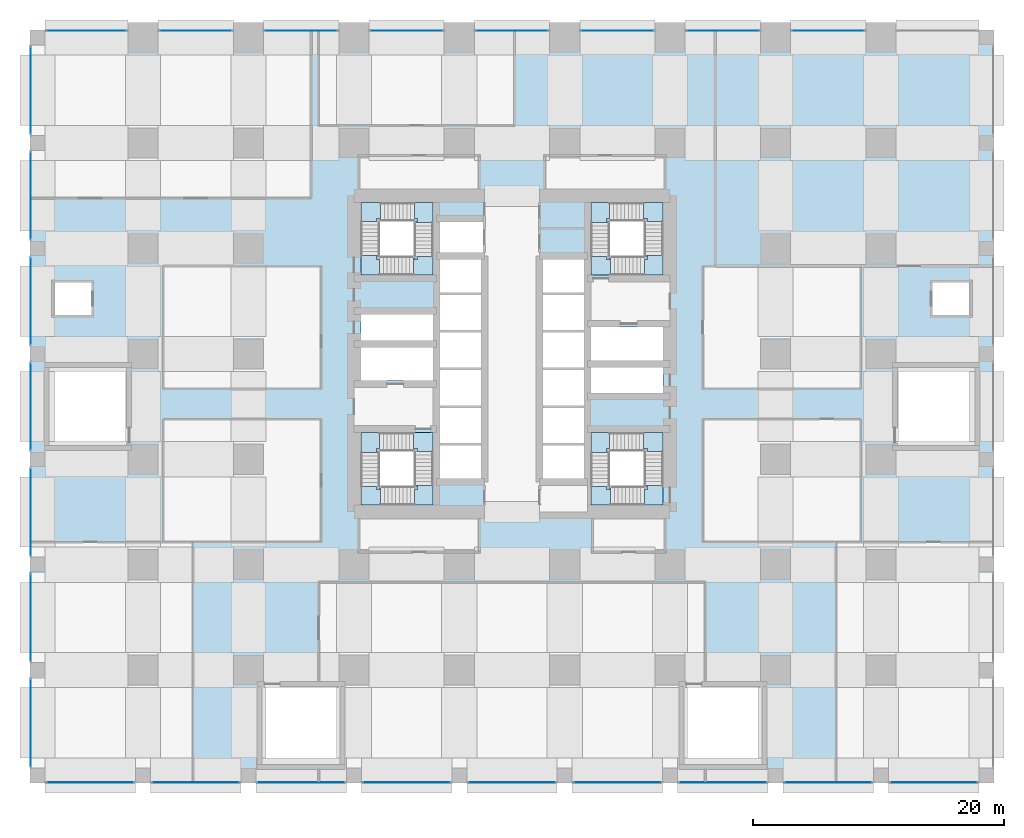
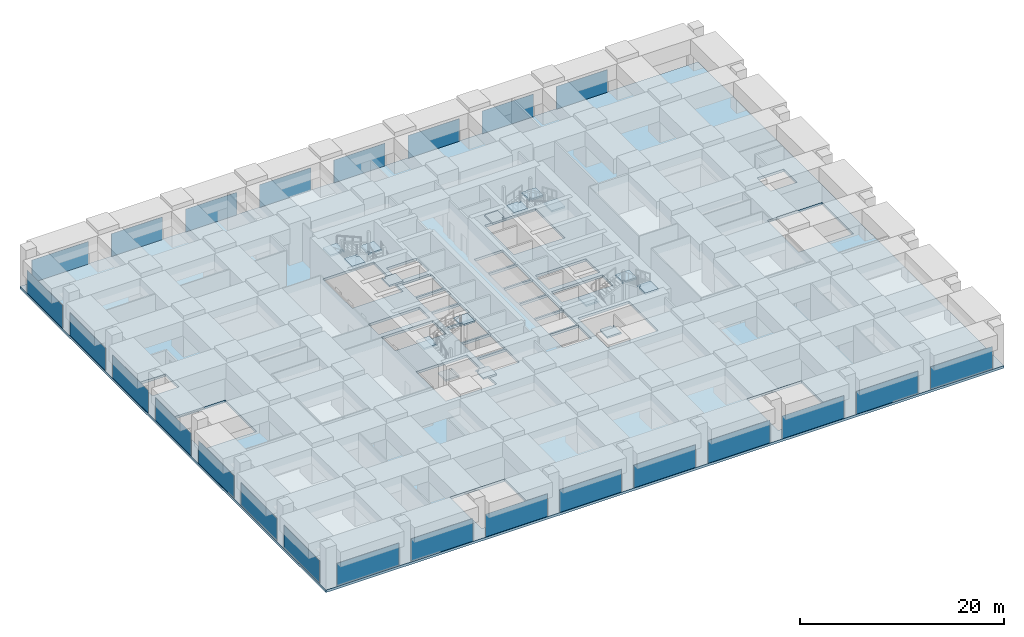
# One storey, part 37 of 52: 24 plates, 17 slabs, 28 elements without a shape of their own.
"""IFC4 building model written with IfcOpenShell, lengths in metres."""

from ifc_helpers import new_model, si_unit, direction, frame, origin, origin_2d, place, context, subcontext, project, spatial, polyline, rectangle, outline, extrude, material, layer, layer_set, type_object, element, aggregate, save


model = new_model("IFC4")

# Units and contexts
model_context = context("Model", 3, precision=1e-05, world=origin(), true_north=direction((0.0, 1.0)))
body_context = subcontext(model_context, "Body", "Model", "MODEL_VIEW")
ifc_project = project(units=[si_unit("LENGTHUNIT", "METRE"), si_unit("AREAUNIT", "SQUARE_METRE"), si_unit("VOLUMEUNIT", "CUBIC_METRE"), si_unit("PLANEANGLEUNIT", "RADIAN"), si_unit("MASSUNIT", "GRAM", prefix="KILO")], contexts=[model_context])

# Site, building, storey
site_placement = place(None, origin())
site = spatial("IfcSite", under=ifc_project, at=site_placement, CompositionType="ELEMENT")
building_placement = place(site_placement, origin())
building = spatial("IfcBuilding", under=site, at=building_placement, Name="Rekha Terrace Tower", CompositionType="ELEMENT")
storey_placement = place(building_placement, frame((0.0, 0.0, 20.39990234375)))
storey = spatial("IfcBuildingStorey", under=building, at=storey_placement, Name="L04", CompositionType="ELEMENT", Elevation=20.39990234375)

# Curtain wall, plate
ifc_material_1 = material(Name="Aluminium framing", Category="aluminium")
curtain_wall_type = type_object("IfcCurtainWallType", Name="CW4 podium shopfront glazing", PredefinedType="USERDEFINED", material=ifc_material_1)
curtain_wall_1_placement = place(storey_placement, origin())
curtain_wall_1 = element("IfcCurtainWall", 1, at=curtain_wall_1_placement, inside=storey, type_object=curtain_wall_type, Name="CW4 shopfront curtain wall", ObjectType="SHOPFRONT CURTAIN WALL", PredefinedType="USERDEFINED")
ifc_material_2 = material(Name="Laminated double-glazed unit 30", Category="glass")
ifc_layer_1 = layer(ifc_material_2, 0.030029296875)
ifc_layer_set_1 = layer_set([ifc_layer_1], Name="Laminated double-glazed unit 30")
plate_type = type_object("IfcPlateType", Name="CW4 jumbo vision panel, laminated double-glazed unit 30", PredefinedType="CURTAIN_PANEL", material=ifc_layer_set_1)
plate_1_placement = place(storey_placement, frame((4.199951171875, -0.5400390625, 0.0), z_axis=(0.0, 0.0, 1.0), x_axis=(1.0, 0.0, 0.0)))
plate_1 = element("IfcPlate", 2, at=plate_1_placement, type_object=plate_type, Name="CW4 panel 1.1", PredefinedType="CURTAIN_PANEL", context=body_context, shape_type="SweptSolid", body=[
    extrude(rectangle(XDim=7.010009765625, YDim=0.030029296875, at=origin_2d()), origin(), (0.0, 0.0, 1.0), 2.72509765625),
])
aggregate(curtain_wall_1, [plate_1])

curtain_wall_2_placement = place(storey_placement, origin())
curtain_wall_2 = element("IfcCurtainWall", 3, at=curtain_wall_2_placement, inside=storey, type_object=curtain_wall_type, Name="CW4 shopfront curtain wall", ObjectType="SHOPFRONT CURTAIN WALL", PredefinedType="USERDEFINED")
plate_2_placement = place(storey_placement, frame((12.60009765625, -0.5400390625, 0.0), z_axis=(0.0, 0.0, 1.0), x_axis=(1.0, 0.0, 0.0)))
plate_2 = element("IfcPlate", 4, at=plate_2_placement, type_object=plate_type, Name="CW4 panel 1.1", PredefinedType="CURTAIN_PANEL", context=body_context, shape_type="SweptSolid", body=[
    extrude(rectangle(XDim=7.010009765625, YDim=0.030029296875, at=origin_2d()), origin(), (0.0, 0.0, 1.0), 2.72509765625),
])
aggregate(curtain_wall_2, [plate_2])

curtain_wall_3_placement = place(storey_placement, origin())
curtain_wall_3 = element("IfcCurtainWall", 5, at=curtain_wall_3_placement, inside=storey, type_object=curtain_wall_type, Name="CW4 shopfront curtain wall", ObjectType="SHOPFRONT CURTAIN WALL", PredefinedType="USERDEFINED")
plate_3_placement = place(storey_placement, frame((21.0, -0.5400390625, 0.0), z_axis=(0.0, 0.0, 1.0), x_axis=(1.0, 0.0, 0.0)))
plate_3 = element("IfcPlate", 6, at=plate_3_placement, type_object=plate_type, Name="CW4 panel 1.1", PredefinedType="CURTAIN_PANEL", context=body_context, shape_type="SweptSolid", body=[
    extrude(rectangle(XDim=7.010009765625, YDim=0.030029296875, at=origin_2d()), origin(), (0.0, 0.0, 1.0), 2.72509765625),
])
aggregate(curtain_wall_3, [plate_3])

curtain_wall_4_placement = place(storey_placement, origin())
curtain_wall_4 = element("IfcCurtainWall", 7, at=curtain_wall_4_placement, inside=storey, type_object=curtain_wall_type, Name="CW4 shopfront curtain wall", ObjectType="SHOPFRONT CURTAIN WALL", PredefinedType="USERDEFINED")
plate_4_placement = place(storey_placement, frame((29.39990234375, -0.5400390625, 0.0), z_axis=(0.0, 0.0, 1.0), x_axis=(1.0, 0.0, 0.0)))
plate_4 = element("IfcPlate", 8, at=plate_4_placement, type_object=plate_type, Name="CW4 panel 1.1", PredefinedType="CURTAIN_PANEL", context=body_context, shape_type="SweptSolid", body=[
    extrude(rectangle(XDim=7.010009765625, YDim=0.030029296875, at=origin_2d()), origin(), (0.0, 0.0, 1.0), 2.72509765625),
])
aggregate(curtain_wall_4, [plate_4])

curtain_wall_5_placement = place(storey_placement, origin())
curtain_wall_5 = element("IfcCurtainWall", 9, at=curtain_wall_5_placement, inside=storey, type_object=curtain_wall_type, Name="CW4 shopfront curtain wall", ObjectType="SHOPFRONT CURTAIN WALL", PredefinedType="USERDEFINED")
plate_5_placement = place(storey_placement, frame((37.800048828125, -0.5400390625, 0.0), z_axis=(0.0, 0.0, 1.0), x_axis=(1.0, 0.0, 0.0)))
plate_5 = element("IfcPlate", 10, at=plate_5_placement, type_object=plate_type, Name="CW4 panel 1.1", PredefinedType="CURTAIN_PANEL", context=body_context, shape_type="SweptSolid", body=[
    extrude(rectangle(XDim=7.010009765625, YDim=0.030029296875, at=origin_2d()), origin(), (0.0, 0.0, 1.0), 2.72509765625),
])
aggregate(curtain_wall_5, [plate_5])

curtain_wall_6_placement = place(storey_placement, origin())
curtain_wall_6 = element("IfcCurtainWall", 11, at=curtain_wall_6_placement, inside=storey, type_object=curtain_wall_type, Name="CW4 shopfront curtain wall", ObjectType="SHOPFRONT CURTAIN WALL", PredefinedType="USERDEFINED")
plate_6_placement = place(storey_placement, frame((46.199951171875, -0.5400390625, 0.0), z_axis=(0.0, 0.0, 1.0), x_axis=(1.0, 0.0, 0.0)))
plate_6 = element("IfcPlate", 12, at=plate_6_placement, type_object=plate_type, Name="CW4 panel 1.1", PredefinedType="CURTAIN_PANEL", context=body_context, shape_type="SweptSolid", body=[
    extrude(rectangle(XDim=7.010009765625, YDim=0.030029296875, at=origin_2d()), origin(), (0.0, 0.0, 1.0), 2.72509765625),
])
aggregate(curtain_wall_6, [plate_6])

curtain_wall_7_placement = place(storey_placement, origin())
curtain_wall_7 = element("IfcCurtainWall", 13, at=curtain_wall_7_placement, inside=storey, type_object=curtain_wall_type, Name="CW4 shopfront curtain wall", ObjectType="SHOPFRONT CURTAIN WALL", PredefinedType="USERDEFINED")
plate_7_placement = place(storey_placement, frame((54.60009765625, -0.5400390625, 0.0), z_axis=(0.0, 0.0, 1.0), x_axis=(1.0, 0.0, 0.0)))
plate_7 = element("IfcPlate", 14, at=plate_7_placement, type_object=plate_type, Name="CW4 panel 1.1", PredefinedType="CURTAIN_PANEL", context=body_context, shape_type="SweptSolid", body=[
    extrude(rectangle(XDim=7.010009765625, YDim=0.030029296875, at=origin_2d()), origin(), (0.0, 0.0, 1.0), 2.72509765625),
])
aggregate(curtain_wall_7, [plate_7])

curtain_wall_8_placement = place(storey_placement, origin())
curtain_wall_8 = element("IfcCurtainWall", 15, at=curtain_wall_8_placement, inside=storey, type_object=curtain_wall_type, Name="CW4 shopfront curtain wall", ObjectType="SHOPFRONT CURTAIN WALL", PredefinedType="USERDEFINED")
plate_8_placement = place(storey_placement, frame((63.0, -0.5400390625, 0.0), z_axis=(0.0, 0.0, 1.0), x_axis=(1.0, 0.0, 0.0)))
plate_8 = element("IfcPlate", 16, at=plate_8_placement, type_object=plate_type, Name="CW4 panel 1.1", PredefinedType="CURTAIN_PANEL", context=body_context, shape_type="SweptSolid", body=[
    extrude(rectangle(XDim=7.010009765625, YDim=0.030029296875, at=origin_2d()), origin(), (0.0, 0.0, 1.0), 2.72509765625),
])
aggregate(curtain_wall_8, [plate_8])

curtain_wall_9_placement = place(storey_placement, origin())
curtain_wall_9 = element("IfcCurtainWall", 17, at=curtain_wall_9_placement, inside=storey, type_object=curtain_wall_type, Name="CW4 shopfront curtain wall", ObjectType="SHOPFRONT CURTAIN WALL", PredefinedType="USERDEFINED")
plate_9_placement = place(storey_placement, frame((71.39990234375, -0.5400390625, 0.0), z_axis=(0.0, 0.0, 1.0), x_axis=(1.0, 0.0, 0.0)))
plate_9 = element("IfcPlate", 18, at=plate_9_placement, type_object=plate_type, Name="CW4 panel 1.1", PredefinedType="CURTAIN_PANEL", context=body_context, shape_type="SweptSolid", body=[
    extrude(rectangle(XDim=7.010009765625, YDim=0.030029296875, at=origin_2d()), origin(), (0.0, 0.0, 1.0), 2.72509765625),
])
aggregate(curtain_wall_9, [plate_9])

curtain_wall_10_placement = place(storey_placement, origin())
curtain_wall_10 = element("IfcCurtainWall", 19, at=curtain_wall_10_placement, inside=storey, type_object=curtain_wall_type, Name="CW4 shopfront curtain wall", ObjectType="SHOPFRONT CURTAIN WALL", PredefinedType="USERDEFINED")
plate_10_placement = place(storey_placement, frame((63.0, 59.340087890625, 0.0), z_axis=(0.0, 0.0, 1.0), x_axis=(-1.0, 0.0, 0.0)))
plate_10 = element("IfcPlate", 20, at=plate_10_placement, type_object=plate_type, Name="CW4 panel 1.1", PredefinedType="CURTAIN_PANEL", context=body_context, shape_type="SweptSolid", body=[
    extrude(rectangle(XDim=5.81005859375, YDim=0.030029296875, at=origin_2d()), origin(), (0.0, 0.0, 1.0), 2.72509765625),
])
aggregate(curtain_wall_10, [plate_10])

curtain_wall_11_placement = place(storey_placement, origin())
curtain_wall_11 = element("IfcCurtainWall", 21, at=curtain_wall_11_placement, inside=storey, type_object=curtain_wall_type, Name="CW4 shopfront curtain wall", ObjectType="SHOPFRONT CURTAIN WALL", PredefinedType="USERDEFINED")
plate_11_placement = place(storey_placement, frame((54.60009765625, 59.340087890625, 0.0), z_axis=(0.0, 0.0, 1.0), x_axis=(-1.0, 0.0, 0.0)))
plate_11 = element("IfcPlate", 22, at=plate_11_placement, type_object=plate_type, Name="CW4 panel 1.1", PredefinedType="CURTAIN_PANEL", context=body_context, shape_type="SweptSolid", body=[
    extrude(rectangle(XDim=5.81005859375, YDim=0.030029296875, at=origin_2d()), origin(), (0.0, 0.0, 1.0), 2.72509765625),
])
aggregate(curtain_wall_11, [plate_11])

curtain_wall_12_placement = place(storey_placement, origin())
curtain_wall_12 = element("IfcCurtainWall", 23, at=curtain_wall_12_placement, inside=storey, type_object=curtain_wall_type, Name="CW4 shopfront curtain wall", ObjectType="SHOPFRONT CURTAIN WALL", PredefinedType="USERDEFINED")
plate_12_placement = place(storey_placement, frame((46.199951171875, 59.340087890625, 0.0), z_axis=(0.0, 0.0, 1.0), x_axis=(-1.0, 0.0, 0.0)))
plate_12 = element("IfcPlate", 24, at=plate_12_placement, type_object=plate_type, Name="CW4 panel 1.1", PredefinedType="CURTAIN_PANEL", context=body_context, shape_type="SweptSolid", body=[
    extrude(rectangle(XDim=5.81005859375, YDim=0.030029296875, at=origin_2d()), origin(), (0.0, 0.0, 1.0), 2.72509765625),
])
aggregate(curtain_wall_12, [plate_12])

curtain_wall_13_placement = place(storey_placement, origin())
curtain_wall_13 = element("IfcCurtainWall", 25, at=curtain_wall_13_placement, inside=storey, type_object=curtain_wall_type, Name="CW4 shopfront curtain wall", ObjectType="SHOPFRONT CURTAIN WALL", PredefinedType="USERDEFINED")
plate_13_placement = place(storey_placement, frame((37.800048828125, 59.340087890625, 0.0), z_axis=(0.0, 0.0, 1.0), x_axis=(-1.0, 0.0, 0.0)))
plate_13 = element("IfcPlate", 26, at=plate_13_placement, type_object=plate_type, Name="CW4 panel 1.1", PredefinedType="CURTAIN_PANEL", context=body_context, shape_type="SweptSolid", body=[
    extrude(rectangle(XDim=5.81005859375, YDim=0.030029296875, at=origin_2d()), origin(), (0.0, 0.0, 1.0), 2.72509765625),
])
aggregate(curtain_wall_13, [plate_13])

curtain_wall_14_placement = place(storey_placement, origin())
curtain_wall_14 = element("IfcCurtainWall", 27, at=curtain_wall_14_placement, inside=storey, type_object=curtain_wall_type, Name="CW4 shopfront curtain wall", ObjectType="SHOPFRONT CURTAIN WALL", PredefinedType="USERDEFINED")
plate_14_placement = place(storey_placement, frame((29.39990234375, 59.340087890625, 0.0), z_axis=(0.0, 0.0, 1.0), x_axis=(-1.0, 0.0, 0.0)))
plate_14 = element("IfcPlate", 28, at=plate_14_placement, type_object=plate_type, Name="CW4 panel 1.1", PredefinedType="CURTAIN_PANEL", context=body_context, shape_type="SweptSolid", body=[
    extrude(rectangle(XDim=5.81005859375, YDim=0.030029296875, at=origin_2d()), origin(), (0.0, 0.0, 1.0), 2.72509765625),
])
aggregate(curtain_wall_14, [plate_14])

curtain_wall_15_placement = place(storey_placement, origin())
curtain_wall_15 = element("IfcCurtainWall", 29, at=curtain_wall_15_placement, inside=storey, type_object=curtain_wall_type, Name="CW4 shopfront curtain wall", ObjectType="SHOPFRONT CURTAIN WALL", PredefinedType="USERDEFINED")
plate_15_placement = place(storey_placement, frame((21.0, 59.340087890625, 0.0), z_axis=(0.0, 0.0, 1.0), x_axis=(-1.0, 0.0, 0.0)))
plate_15 = element("IfcPlate", 30, at=plate_15_placement, type_object=plate_type, Name="CW4 panel 1.1", PredefinedType="CURTAIN_PANEL", context=body_context, shape_type="SweptSolid", body=[
    extrude(rectangle(XDim=5.81005859375, YDim=0.030029296875, at=origin_2d()), origin(), (0.0, 0.0, 1.0), 2.72509765625),
])
aggregate(curtain_wall_15, [plate_15])

curtain_wall_16_placement = place(storey_placement, origin())
curtain_wall_16 = element("IfcCurtainWall", 31, at=curtain_wall_16_placement, inside=storey, type_object=curtain_wall_type, Name="CW4 shopfront curtain wall", ObjectType="SHOPFRONT CURTAIN WALL", PredefinedType="USERDEFINED")
plate_16_placement = place(storey_placement, frame((12.60009765625, 59.340087890625, 0.0), z_axis=(0.0, 0.0, 1.0), x_axis=(-1.0, 0.0, 0.0)))
plate_16 = element("IfcPlate", 32, at=plate_16_placement, type_object=plate_type, Name="CW4 panel 1.1", PredefinedType="CURTAIN_PANEL", context=body_context, shape_type="SweptSolid", body=[
    extrude(rectangle(XDim=5.81005859375, YDim=0.030029296875, at=origin_2d()), origin(), (0.0, 0.0, 1.0), 2.72509765625),
])
aggregate(curtain_wall_16, [plate_16])

curtain_wall_17_placement = place(storey_placement, origin())
curtain_wall_17 = element("IfcCurtainWall", 33, at=curtain_wall_17_placement, inside=storey, type_object=curtain_wall_type, Name="CW4 shopfront curtain wall", ObjectType="SHOPFRONT CURTAIN WALL", PredefinedType="USERDEFINED")
plate_17_placement = place(storey_placement, frame((3.89990234375, 59.340087890625, 0.0), z_axis=(0.0, 0.0, 1.0), x_axis=(-1.0, 0.0, 0.0)))
plate_17 = element("IfcPlate", 34, at=plate_17_placement, type_object=plate_type, Name="CW4 panel 1.1", PredefinedType="CURTAIN_PANEL", context=body_context, shape_type="SweptSolid", body=[
    extrude(rectangle(XDim=6.409912109375, YDim=0.030029296875, at=origin_2d()), origin(), (0.0, 0.0, 1.0), 2.72509765625),
])
aggregate(curtain_wall_17, [plate_17])

curtain_wall_18_placement = place(storey_placement, origin())
curtain_wall_18 = element("IfcCurtainWall", 35, at=curtain_wall_18_placement, inside=storey, type_object=curtain_wall_type, Name="CW4 shopfront curtain wall", ObjectType="SHOPFRONT CURTAIN WALL", PredefinedType="USERDEFINED")
plate_18_placement = place(storey_placement, frame((-0.5400390625, 54.60009765625, 0.0), z_axis=(0.0, 0.0, 1.0), x_axis=(0.0, -1.0, 0.0)))
plate_18 = element("IfcPlate", 36, at=plate_18_placement, type_object=plate_type, Name="CW4 panel 1.1", PredefinedType="CURTAIN_PANEL", context=body_context, shape_type="SweptSolid", body=[
    extrude(rectangle(XDim=7.010009765625, YDim=0.030029296875, at=origin_2d()), origin(), (0.0, 0.0, 1.0), 2.72509765625),
])
aggregate(curtain_wall_18, [plate_18])

curtain_wall_19_placement = place(storey_placement, origin())
curtain_wall_19 = element("IfcCurtainWall", 37, at=curtain_wall_19_placement, inside=storey, type_object=curtain_wall_type, Name="CW4 shopfront curtain wall", ObjectType="SHOPFRONT CURTAIN WALL", PredefinedType="USERDEFINED")
plate_19_placement = place(storey_placement, frame((-0.5400390625, 46.199951171875, 0.0), z_axis=(0.0, 0.0, 1.0), x_axis=(0.0, -1.0, 0.0)))
plate_19 = element("IfcPlate", 38, at=plate_19_placement, type_object=plate_type, Name="CW4 panel 1.1", PredefinedType="CURTAIN_PANEL", context=body_context, shape_type="SweptSolid", body=[
    extrude(rectangle(XDim=7.010009765625, YDim=0.030029296875, at=origin_2d()), origin(), (0.0, 0.0, 1.0), 2.72509765625),
])
aggregate(curtain_wall_19, [plate_19])

curtain_wall_20_placement = place(storey_placement, origin())
curtain_wall_20 = element("IfcCurtainWall", 39, at=curtain_wall_20_placement, inside=storey, type_object=curtain_wall_type, Name="CW4 shopfront curtain wall", ObjectType="SHOPFRONT CURTAIN WALL", PredefinedType="USERDEFINED")
plate_20_placement = place(storey_placement, frame((-0.5400390625, 37.800048828125, 0.0), z_axis=(0.0, 0.0, 1.0), x_axis=(0.0, -1.0, 0.0)))
plate_20 = element("IfcPlate", 40, at=plate_20_placement, type_object=plate_type, Name="CW4 panel 1.1", PredefinedType="CURTAIN_PANEL", context=body_context, shape_type="SweptSolid", body=[
    extrude(rectangle(XDim=7.010009765625, YDim=0.030029296875, at=origin_2d()), origin(), (0.0, 0.0, 1.0), 2.72509765625),
])
aggregate(curtain_wall_20, [plate_20])

curtain_wall_21_placement = place(storey_placement, origin())
curtain_wall_21 = element("IfcCurtainWall", 41, at=curtain_wall_21_placement, inside=storey, type_object=curtain_wall_type, Name="CW4 shopfront curtain wall", ObjectType="SHOPFRONT CURTAIN WALL", PredefinedType="USERDEFINED")
plate_21_placement = place(storey_placement, frame((-0.5400390625, 29.39990234375, 0.0), z_axis=(0.0, 0.0, 1.0), x_axis=(0.0, -1.0, 0.0)))
plate_21 = element("IfcPlate", 42, at=plate_21_placement, type_object=plate_type, Name="CW4 panel 1.1", PredefinedType="CURTAIN_PANEL", context=body_context, shape_type="SweptSolid", body=[
    extrude(rectangle(XDim=7.010009765625, YDim=0.030029296875, at=origin_2d()), origin(), (0.0, 0.0, 1.0), 2.72509765625),
])
aggregate(curtain_wall_21, [plate_21])

curtain_wall_22_placement = place(storey_placement, origin())
curtain_wall_22 = element("IfcCurtainWall", 43, at=curtain_wall_22_placement, inside=storey, type_object=curtain_wall_type, Name="CW4 shopfront curtain wall", ObjectType="SHOPFRONT CURTAIN WALL", PredefinedType="USERDEFINED")
plate_22_placement = place(storey_placement, frame((-0.5400390625, 21.0, 0.0), z_axis=(0.0, 0.0, 1.0), x_axis=(0.0, -1.0, 0.0)))
plate_22 = element("IfcPlate", 44, at=plate_22_placement, type_object=plate_type, Name="CW4 panel 1.1", PredefinedType="CURTAIN_PANEL", context=body_context, shape_type="SweptSolid", body=[
    extrude(rectangle(XDim=7.010009765625, YDim=0.030029296875, at=origin_2d()), origin(), (0.0, 0.0, 1.0), 2.72509765625),
])
aggregate(curtain_wall_22, [plate_22])

curtain_wall_23_placement = place(storey_placement, origin())
curtain_wall_23 = element("IfcCurtainWall", 45, at=curtain_wall_23_placement, inside=storey, type_object=curtain_wall_type, Name="CW4 shopfront curtain wall", ObjectType="SHOPFRONT CURTAIN WALL", PredefinedType="USERDEFINED")
plate_23_placement = place(storey_placement, frame((-0.5400390625, 12.60009765625, 0.0), z_axis=(0.0, 0.0, 1.0), x_axis=(0.0, -1.0, 0.0)))
plate_23 = element("IfcPlate", 46, at=plate_23_placement, type_object=plate_type, Name="CW4 panel 1.1", PredefinedType="CURTAIN_PANEL", context=body_context, shape_type="SweptSolid", body=[
    extrude(rectangle(XDim=7.010009765625, YDim=0.030029296875, at=origin_2d()), origin(), (0.0, 0.0, 1.0), 2.72509765625),
])
aggregate(curtain_wall_23, [plate_23])

curtain_wall_24_placement = place(storey_placement, origin())
curtain_wall_24 = element("IfcCurtainWall", 47, at=curtain_wall_24_placement, inside=storey, type_object=curtain_wall_type, Name="CW4 shopfront curtain wall", ObjectType="SHOPFRONT CURTAIN WALL", PredefinedType="USERDEFINED")
plate_24_placement = place(storey_placement, frame((-0.5400390625, 4.199951171875, 0.0), z_axis=(0.0, 0.0, 1.0), x_axis=(0.0, -1.0, 0.0)))
plate_24 = element("IfcPlate", 48, at=plate_24_placement, type_object=plate_type, Name="CW4 panel 1.1", PredefinedType="CURTAIN_PANEL", context=body_context, shape_type="SweptSolid", body=[
    extrude(rectangle(XDim=7.010009765625, YDim=0.030029296875, at=origin_2d()), origin(), (0.0, 0.0, 1.0), 2.72509765625),
])
aggregate(curtain_wall_24, [plate_24])

# Stair, slabs
ifc_material_3 = material(Name="Concrete M40", Category="concrete")
stair_type = type_object("IfcStairType", Name="ST40 stair, 40 risers of 125, going 300, 1500 wide flights, 4 flights", PredefinedType="QUARTER_TURN_STAIR", material=ifc_material_3)
stair_1_placement = place(storey_placement, origin())
stair_1 = element("IfcStair", 49, at=stair_1_placement, inside=storey, type_object=stair_type, Name="Stair ST1 L04 to L05", PredefinedType="QUARTER_TURN_STAIR")
ifc_layer_2 = layer(ifc_material_3, 0.199951171875)
ifc_layer_set_2 = layer_set([ifc_layer_2], Name="Concrete M40")
slab_type_1 = type_object("IfcSlabType", Name="LD1 200 concrete stair landing", PredefinedType="LANDING", material=ifc_layer_set_2)
slab_1_placement = place(storey_placement, frame((0.0, 0.0, 1.050048828125)))
slab_1 = element("IfcSlab", 50, at=slab_1_placement, type_object=slab_type_1, Name="ST1 landing 1", PredefinedType="LANDING", context=body_context, shape_type="SweptSolid", body=[
    extrude(outline(polyline([(30.02490234375, 21.550048828125), (31.52490234375, 21.550048828125), (31.52490234375, 23.125), (30.02490234375, 23.125), (30.02490234375, 23.050048828125), (30.27490234375, 23.050048828125), (30.27490234375, 22.800048828125), (30.02490234375, 22.800048828125), (30.02490234375, 21.550048828125)])), origin(), (0.0, 0.0, 1.0), 0.199951171875),
])
slab_2_placement = place(storey_placement, frame((0.0, 0.0, 2.300048828125)))
slab_2 = element("IfcSlab", 51, at=slab_2_placement, type_object=slab_type_1, Name="ST1 landing 2", PredefinedType="LANDING", context=body_context, shape_type="SweptSolid", body=[
    extrude(outline(polyline([(25.75, 23.050048828125), (25.75, 21.550048828125), (27.324951171875, 21.550048828125), (27.324951171875, 23.050048828125), (27.25, 23.050048828125), (27.25, 22.800048828125), (27.0, 22.800048828125), (27.0, 23.050048828125), (25.75, 23.050048828125)])), origin(), (0.0, 0.0, 1.0), 0.199951171875),
])
slab_3_placement = place(storey_placement, frame((0.0, 0.0, 3.550048828125)))
slab_3 = element("IfcSlab", 52, at=slab_3_placement, type_object=slab_type_1, Name="ST1 landing 3", PredefinedType="LANDING", context=body_context, shape_type="SweptSolid", body=[
    extrude(outline(polyline([(27.25, 27.324951171875), (25.75, 27.324951171875), (25.75, 25.75), (27.25, 25.75), (27.25, 25.824951171875), (27.0, 25.824951171875), (27.0, 26.074951171875), (27.25, 26.074951171875), (27.25, 27.324951171875)])), origin(), (0.0, 0.0, 1.0), 0.199951171875),
])
slab_4_placement = place(storey_placement, frame((0.0, 0.0, 4.800048828125)))
slab_4 = element("IfcSlab", 53, at=slab_4_placement, type_object=slab_type_1, Name="ST1 landing 4", PredefinedType="LANDING", context=body_context, shape_type="SweptSolid", body=[
    extrude(outline(polyline([(31.52490234375, 25.824951171875), (31.52490234375, 27.324951171875), (29.949951171875, 27.324951171875), (29.949951171875, 25.824951171875), (30.02490234375, 25.824951171875), (30.02490234375, 26.074951171875), (30.27490234375, 26.074951171875), (30.27490234375, 25.824951171875), (31.52490234375, 25.824951171875)])), origin(), (0.0, 0.0, 1.0), 0.199951171875),
])
aggregate(stair_1, [slab_1, slab_2, slab_3, slab_4])

stair_2_placement = place(storey_placement, origin())
stair_2 = element("IfcStair", 54, at=stair_2_placement, inside=storey, type_object=stair_type, Name="Stair ST2 L04 to L05", PredefinedType="QUARTER_TURN_STAIR")
slab_5_placement = place(storey_placement, frame((0.0, 0.0, 1.050048828125)))
slab_5 = element("IfcSlab", 55, at=slab_5_placement, type_object=slab_type_1, Name="ST2 landing 1", PredefinedType="LANDING", context=body_context, shape_type="SweptSolid", body=[
    extrude(outline(polyline([(45.574951171875, 45.64990234375), (44.074951171875, 45.64990234375), (44.074951171875, 44.074951171875), (45.574951171875, 44.074951171875), (45.574951171875, 44.14990234375), (45.324951171875, 44.14990234375), (45.324951171875, 44.39990234375), (45.574951171875, 44.39990234375), (45.574951171875, 45.64990234375)])), origin(), (0.0, 0.0, 1.0), 0.199951171875),
])
slab_6_placement = place(storey_placement, frame((0.0, 0.0, 2.300048828125)))
slab_6 = element("IfcSlab", 56, at=slab_6_placement, type_object=slab_type_1, Name="ST2 landing 2", PredefinedType="LANDING", context=body_context, shape_type="SweptSolid", body=[
    extrude(outline(polyline([(49.85009765625, 44.14990234375), (49.85009765625, 45.64990234375), (48.27490234375, 45.64990234375), (48.27490234375, 44.14990234375), (48.35009765625, 44.14990234375), (48.35009765625, 44.39990234375), (48.60009765625, 44.39990234375), (48.60009765625, 44.14990234375), (49.85009765625, 44.14990234375)])), origin(), (0.0, 0.0, 1.0), 0.199951171875),
])
slab_7_placement = place(storey_placement, frame((0.0, 0.0, 3.550048828125)))
slab_7 = element("IfcSlab", 57, at=slab_7_placement, type_object=slab_type_1, Name="ST2 landing 3", PredefinedType="LANDING", context=body_context, shape_type="SweptSolid", body=[
    extrude(outline(polyline([(48.35009765625, 39.875), (49.85009765625, 39.875), (49.85009765625, 41.449951171875), (48.35009765625, 41.449951171875), (48.35009765625, 41.375), (48.60009765625, 41.375), (48.60009765625, 41.125), (48.35009765625, 41.125), (48.35009765625, 39.875)])), origin(), (0.0, 0.0, 1.0), 0.199951171875),
])
slab_8_placement = place(storey_placement, frame((0.0, 0.0, 4.800048828125)))
slab_8 = element("IfcSlab", 58, at=slab_8_placement, type_object=slab_type_1, Name="ST2 landing 4", PredefinedType="LANDING", context=body_context, shape_type="SweptSolid", body=[
    extrude(outline(polyline([(44.074951171875, 41.375), (44.074951171875, 39.875), (45.64990234375, 39.875), (45.64990234375, 41.375), (45.574951171875, 41.375), (45.574951171875, 41.125), (45.324951171875, 41.125), (45.324951171875, 41.375), (44.074951171875, 41.375)])), origin(), (0.0, 0.0, 1.0), 0.199951171875),
])
aggregate(stair_2, [slab_5, slab_6, slab_7, slab_8])

stair_3_placement = place(storey_placement, origin())
stair_3 = element("IfcStair", 59, at=stair_3_placement, inside=storey, type_object=stair_type, Name="Stair ST3 L04 to L05", PredefinedType="QUARTER_TURN_STAIR")
slab_9_placement = place(storey_placement, frame((0.0, 0.0, 1.050048828125)))
slab_9 = element("IfcSlab", 60, at=slab_9_placement, type_object=slab_type_1, Name="ST3 landing 1", PredefinedType="LANDING", context=body_context, shape_type="SweptSolid", body=[
    extrude(outline(polyline([(44.074951171875, 23.050048828125), (44.074951171875, 21.550048828125), (45.64990234375, 21.550048828125), (45.64990234375, 23.050048828125), (45.574951171875, 23.050048828125), (45.574951171875, 22.800048828125), (45.324951171875, 22.800048828125), (45.324951171875, 23.050048828125), (44.074951171875, 23.050048828125)])), origin(), (0.0, 0.0, 1.0), 0.199951171875),
])
slab_10_placement = place(storey_placement, frame((0.0, 0.0, 2.300048828125)))
slab_10 = element("IfcSlab", 61, at=slab_10_placement, type_object=slab_type_1, Name="ST3 landing 2", PredefinedType="LANDING", context=body_context, shape_type="SweptSolid", body=[
    extrude(outline(polyline([(45.574951171875, 27.324951171875), (44.074951171875, 27.324951171875), (44.074951171875, 25.75), (45.574951171875, 25.75), (45.574951171875, 25.824951171875), (45.324951171875, 25.824951171875), (45.324951171875, 26.074951171875), (45.574951171875, 26.074951171875), (45.574951171875, 27.324951171875)])), origin(), (0.0, 0.0, 1.0), 0.199951171875),
])
slab_11_placement = place(storey_placement, frame((0.0, 0.0, 3.550048828125)))
slab_11 = element("IfcSlab", 62, at=slab_11_placement, type_object=slab_type_1, Name="ST3 landing 3", PredefinedType="LANDING", context=body_context, shape_type="SweptSolid", body=[
    extrude(outline(polyline([(49.85009765625, 25.824951171875), (49.85009765625, 27.324951171875), (48.27490234375, 27.324951171875), (48.27490234375, 25.824951171875), (48.35009765625, 25.824951171875), (48.35009765625, 26.074951171875), (48.60009765625, 26.074951171875), (48.60009765625, 25.824951171875), (49.85009765625, 25.824951171875)])), origin(), (0.0, 0.0, 1.0), 0.199951171875),
])
slab_12_placement = place(storey_placement, frame((0.0, 0.0, 4.800048828125)))
slab_12 = element("IfcSlab", 63, at=slab_12_placement, type_object=slab_type_1, Name="ST3 landing 4", PredefinedType="LANDING", context=body_context, shape_type="SweptSolid", body=[
    extrude(outline(polyline([(48.35009765625, 21.550048828125), (49.85009765625, 21.550048828125), (49.85009765625, 23.125), (48.35009765625, 23.125), (48.35009765625, 23.050048828125), (48.60009765625, 23.050048828125), (48.60009765625, 22.800048828125), (48.35009765625, 22.800048828125), (48.35009765625, 21.550048828125)])), origin(), (0.0, 0.0, 1.0), 0.199951171875),
])
aggregate(stair_3, [slab_9, slab_10, slab_11, slab_12])

stair_4_placement = place(storey_placement, origin())
stair_4 = element("IfcStair", 64, at=stair_4_placement, inside=storey, type_object=stair_type, Name="Stair ST4 L04 to L05", PredefinedType="QUARTER_TURN_STAIR")
slab_13_placement = place(storey_placement, frame((0.0, 0.0, 1.050048828125)))
slab_13 = element("IfcSlab", 65, at=slab_13_placement, type_object=slab_type_1, Name="ST4 landing 1", PredefinedType="LANDING", context=body_context, shape_type="SweptSolid", body=[
    extrude(outline(polyline([(31.52490234375, 41.375), (31.52490234375, 39.875), (29.949951171875, 39.875), (29.949951171875, 41.375), (30.02490234375, 41.375), (30.02490234375, 41.125), (30.27490234375, 41.125), (30.27490234375, 41.375), (31.52490234375, 41.375)])), origin(), (0.0, 0.0, 1.0), 0.199951171875),
])
slab_14_placement = place(storey_placement, frame((0.0, 0.0, 2.300048828125)))
slab_14 = element("IfcSlab", 66, at=slab_14_placement, type_object=slab_type_1, Name="ST4 landing 2", PredefinedType="LANDING", context=body_context, shape_type="SweptSolid", body=[
    extrude(outline(polyline([(30.02490234375, 45.64990234375), (31.52490234375, 45.64990234375), (31.52490234375, 44.074951171875), (30.02490234375, 44.074951171875), (30.02490234375, 44.14990234375), (30.27490234375, 44.14990234375), (30.27490234375, 44.39990234375), (30.02490234375, 44.39990234375), (30.02490234375, 45.64990234375)])), origin(), (0.0, 0.0, 1.0), 0.199951171875),
])
slab_15_placement = place(storey_placement, frame((0.0, 0.0, 3.550048828125)))
slab_15 = element("IfcSlab", 67, at=slab_15_placement, type_object=slab_type_1, Name="ST4 landing 3", PredefinedType="LANDING", context=body_context, shape_type="SweptSolid", body=[
    extrude(outline(polyline([(25.75, 44.14990234375), (25.75, 45.64990234375), (27.324951171875, 45.64990234375), (27.324951171875, 44.14990234375), (27.25, 44.14990234375), (27.25, 44.39990234375), (27.0, 44.39990234375), (27.0, 44.14990234375), (25.75, 44.14990234375)])), origin(), (0.0, 0.0, 1.0), 0.199951171875),
])
slab_16_placement = place(storey_placement, frame((0.0, 0.0, 4.800048828125)))
slab_16 = element("IfcSlab", 68, at=slab_16_placement, type_object=slab_type_1, Name="ST4 landing 4", PredefinedType="LANDING", context=body_context, shape_type="SweptSolid", body=[
    extrude(outline(polyline([(27.25, 39.875), (25.75, 39.875), (25.75, 41.449951171875), (27.25, 41.449951171875), (27.25, 41.375), (27.0, 41.375), (27.0, 41.125), (27.25, 41.125), (27.25, 39.875)])), origin(), (0.0, 0.0, 1.0), 0.199951171875),
])
aggregate(stair_4, [slab_13, slab_14, slab_15, slab_16])

# Slab
ifc_material_4 = material(Name="Concrete M50", Category="concrete")
ifc_layer_3 = layer(ifc_material_4, 0.300048828125)
ifc_layer_set_3 = layer_set([ifc_layer_3], Name="Concrete M50")
slab_type_2 = type_object("IfcSlabType", Name="SL2 300 podium floor slab", PredefinedType="FLOOR", material=ifc_layer_set_3)
slab_17_placement = place(storey_placement, frame((0.0, 0.0, -0.2998046875)))
element("IfcSlab", 69, at=slab_17_placement, inside=storey, type_object=slab_type_2, Name="Podium floor slab L04", PredefinedType="FLOOR", context=body_context, shape_type="SweptSolid", body=[
    extrude(outline(polyline([(-0.60009765625, 59.39990234375), (-0.60009765625, -0.60009765625), (76.199951171875, -0.60009765625), (76.199951171875, 59.39990234375), (-0.60009765625, 59.39990234375)]), holes=[polyline([(24.10009765625, 7.10009765625), (24.10009765625, 0.89990234375), (17.89990234375, 0.89990234375), (17.89990234375, 7.10009765625), (24.10009765625, 7.10009765625)]), polyline([(31.52490234375, 21.550048828125), (25.75, 21.550048828125), (25.75, 27.324951171875), (31.52490234375, 27.324951171875), (31.52490234375, 21.550048828125)]), polyline([(35.324951171875, 23.675048828125), (32.074951171875, 23.675048828125), (32.074951171875, 26.300048828125), (35.324951171875, 26.300048828125), (35.324951171875, 23.675048828125)]), polyline([(35.324951171875, 29.300048828125), (35.324951171875, 26.5), (32.074951171875, 26.5), (32.074951171875, 29.300048828125), (35.324951171875, 29.300048828125)]), polyline([(7.10009765625, 26.300048828125), (0.89990234375, 26.300048828125), (0.89990234375, 32.5), (7.10009765625, 32.5), (7.10009765625, 26.300048828125)]), polyline([(35.324951171875, 29.5), (32.074951171875, 29.5), (32.074951171875, 32.300048828125), (35.324951171875, 32.300048828125), (35.324951171875, 29.5)]), polyline([(31.52490234375, 34.125), (31.52490234375, 31.47509765625), (25.75, 31.47509765625), (25.75, 34.125), (31.52490234375, 34.125)]), polyline([(35.324951171875, 32.5), (32.074951171875, 32.5), (32.074951171875, 35.300048828125), (35.324951171875, 35.300048828125), (35.324951171875, 32.5)]), polyline([(31.52490234375, 34.675048828125), (25.75, 34.675048828125), (25.75, 36.72509765625), (31.52490234375, 36.72509765625), (31.52490234375, 34.675048828125)]), polyline([(35.324951171875, 35.5), (32.074951171875, 35.5), (32.074951171875, 38.300048828125), (35.324951171875, 38.300048828125), (35.324951171875, 35.5)]), polyline([(4.300048828125, 36.699951171875), (1.300048828125, 36.699951171875), (1.300048828125, 39.300048828125), (4.300048828125, 39.300048828125), (4.300048828125, 36.699951171875)]), polyline([(35.324951171875, 38.5), (32.074951171875, 38.5), (32.074951171875, 41.125), (35.324951171875, 41.125), (35.324951171875, 38.5)]), polyline([(31.52490234375, 39.875), (25.75, 39.875), (25.75, 45.64990234375), (31.52490234375, 45.64990234375), (31.52490234375, 39.875)]), polyline([(35.5, 44.125), (35.5, 41.675048828125), (32.074951171875, 41.675048828125), (32.074951171875, 44.125), (35.5, 44.125)]), polyline([(57.699951171875, 0.89990234375), (51.5, 0.89990234375), (51.5, 7.10009765625), (57.699951171875, 7.10009765625), (57.699951171875, 0.89990234375)]), polyline([(49.85009765625, 21.550048828125), (44.074951171875, 21.550048828125), (44.074951171875, 27.324951171875), (49.85009765625, 27.324951171875), (49.85009765625, 21.550048828125)]), polyline([(43.52490234375, 23.675048828125), (40.27490234375, 23.675048828125), (40.27490234375, 26.300048828125), (43.52490234375, 26.300048828125), (43.52490234375, 23.675048828125)]), polyline([(43.52490234375, 26.5), (40.27490234375, 26.5), (40.27490234375, 29.300048828125), (43.52490234375, 29.300048828125), (43.52490234375, 26.5)]), polyline([(74.699951171875, 26.300048828125), (68.5, 26.300048828125), (68.5, 32.5), (74.699951171875, 32.5), (74.699951171875, 26.300048828125)]), polyline([(43.52490234375, 29.5), (40.27490234375, 29.5), (40.27490234375, 32.300048828125), (43.52490234375, 32.300048828125), (43.52490234375, 29.5)]), polyline([(49.85009765625, 32.52490234375), (49.85009765625, 30.47509765625), (44.074951171875, 30.47509765625), (44.074951171875, 32.52490234375), (49.85009765625, 32.52490234375)]), polyline([(43.52490234375, 32.5), (40.27490234375, 32.5), (40.27490234375, 35.300048828125), (43.52490234375, 35.300048828125), (43.52490234375, 32.5)]), polyline([(49.85009765625, 33.074951171875), (44.074951171875, 33.074951171875), (44.074951171875, 35.72509765625), (49.85009765625, 35.72509765625), (49.85009765625, 33.074951171875)]), polyline([(43.52490234375, 35.5), (40.27490234375, 35.5), (40.27490234375, 38.300048828125), (43.52490234375, 38.300048828125), (43.52490234375, 35.5)]), polyline([(74.300048828125, 36.699951171875), (71.300048828125, 36.699951171875), (71.300048828125, 39.300048828125), (74.300048828125, 39.300048828125), (74.300048828125, 36.699951171875)]), polyline([(43.52490234375, 38.5), (40.27490234375, 38.5), (40.27490234375, 41.125), (43.52490234375, 41.125), (43.52490234375, 38.5)]), polyline([(49.85009765625, 39.875), (44.074951171875, 39.875), (44.074951171875, 45.64990234375), (49.85009765625, 45.64990234375), (49.85009765625, 39.875)])]), origin(), (0.0, 0.0, 1.0), 0.2998046875),
])

save(model, "model.ifc")
